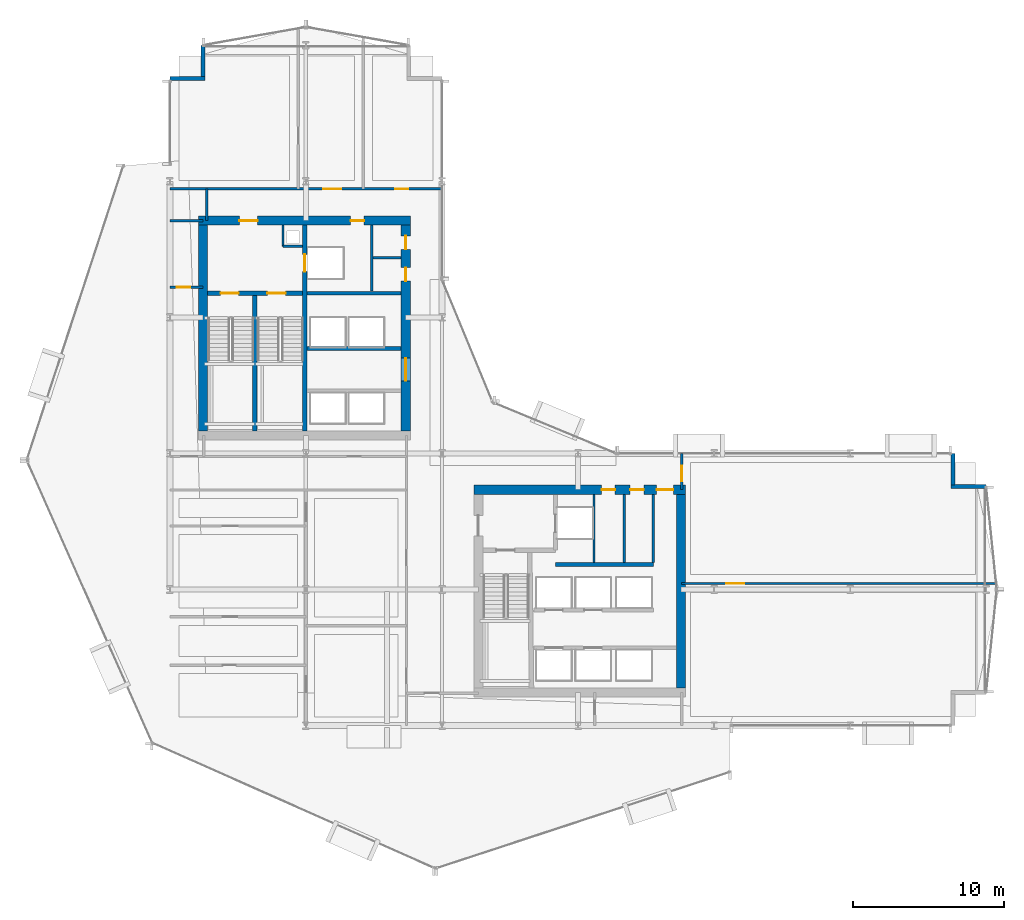
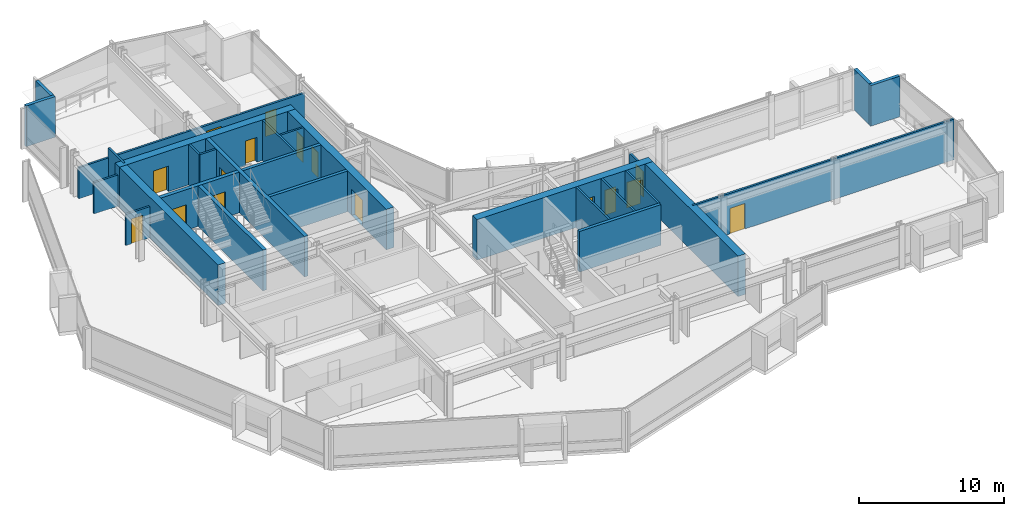
# One storey, part 28 of 34: 28 walls, 16 doors, 16 openings.
"""IFC4 building model written with IfcOpenShell, lengths in metres."""

from ifc_helpers import new_model, si_unit, direction, frame, frame_2d, origin, place, context, subcontext, project, spatial, rectangle, extrude, material, layer, layer_set, type_object, element, fill, save


model = new_model("IFC4")

# Units and contexts
model_context = context("Model", 3, precision=1e-05, world=origin(), true_north=direction((0.0, 1.0)))
body_context = subcontext(model_context, "Body", "Model", "MODEL_VIEW")
ifc_project = project(units=[si_unit("LENGTHUNIT", "METRE"), si_unit("AREAUNIT", "SQUARE_METRE"), si_unit("VOLUMEUNIT", "CUBIC_METRE"), si_unit("PLANEANGLEUNIT", "RADIAN"), si_unit("MASSUNIT", "GRAM", prefix="KILO")], contexts=[model_context])

# Site, building, storey
site_placement = place(None, origin())
site = spatial("IfcSite", under=ifc_project, at=site_placement, CompositionType="ELEMENT")
building_placement = place(site_placement, origin())
building = spatial("IfcBuilding", under=site, at=building_placement, Name="Solvaryn Broadcast Tower", CompositionType="ELEMENT")
storey_placement = place(building_placement, frame((0.0, 0.0, 65.60009765625)))
storey = spatial("IfcBuildingStorey", under=building, at=storey_placement, Name="L15", CompositionType="ELEMENT", Elevation=65.60009765625)

# Wall, openings, doors
ifc_material_1 = material(Name="Concrete f'c 70 MPa", Category="concrete")
ifc_layer_1 = layer(ifc_material_1, 0.60009765625)
ifc_layer_set_1 = layer_set([ifc_layer_1], Name="CW-SHEAR-600")
wall_type_1 = type_object("IfcWallType", Name="CW-SHEAR-600", PredefinedType="SHEAR", material=ifc_layer_set_1)
wall_1_placement = place(storey_placement, frame((24.89990234375, 42.39990234375, 0.0), z_axis=(0.0, 0.0, 1.0), x_axis=(-1.0, 0.0, 0.0)))
wall_1 = element("IfcWall", 1, at=wall_1_placement, inside=storey, type_object=wall_type_1, Name="L15 West Core North Shear Wall", PredefinedType="SHEAR", context=body_context, shape_type="SweptSolid", body=[
    extrude(rectangle(XDim=14.0, YDim=0.60009765625, at=frame_2d((7.0, 0.0))), origin(), (0.0, 0.0, 1.0), 3.419921875),
])
opening_1_placement = place(wall_1_placement, frame((10.10009765625, 0.0, 0.0)))
opening_1 = element("IfcOpeningElement", 2, at=opening_1_placement, cuts=wall_1, Name="Opening FD90A", PredefinedType="OPENING", context=body_context, shape_type="SweptSolid", body=[
    extrude(rectangle(XDim=1.199951171875, YDim=2.14990234375, at=frame_2d((0.60009765625, 1.074951171875))), frame((0.0, 0.31005859375, 0.0), z_axis=(0.0, -1.0, 0.0), x_axis=(1.0, 0.0, 0.0)), (0.0, 0.0, 1.0), 0.6201171875),
])
opening_2_placement = place(wall_1_placement, frame((3.050048828125, 0.0, 0.0)))
opening_2 = element("IfcOpeningElement", 3, at=opening_2_placement, cuts=wall_1, Name="Opening FD60C", PredefinedType="OPENING", context=body_context, shape_type="SweptSolid", body=[
    extrude(rectangle(XDim=0.89990234375, YDim=2.10009765625, at=frame_2d((0.449951171875, 1.050048828125))), frame((0.0, 0.31005859375, 0.0), z_axis=(0.0, -1.0, 0.0), x_axis=(1.0, 0.0, 0.0)), (0.0, 0.0, 1.0), 0.6201171875),
])
ifc_material_2 = material(Name="Flush Acoustic Steel and Timber Door Assembly", Category="steel")
door_type_1 = type_object("IfcDoorType", Name="FD60-SERV-900X2100", OperationType="NOTDEFINED", PredefinedType="DOOR", material=ifc_material_2)
door_1_placement = place(opening_2_placement, origin())
door_1 = element("IfcDoor", 4, at=door_1_placement, inside=storey, type_object=door_type_1, Name="L15 West Core Fiber Riser Door", OperationType="SINGLE_SWING_RIGHT", OverallHeight=2.10009765625, OverallWidth=0.89990234375, PredefinedType="DOOR", context=body_context, shape_type="SweptSolid", body=[
    extrude(rectangle(XDim=0.89990234375, YDim=2.10009765625, at=frame_2d((0.449951171875, 1.050048828125))), frame((0.0, 0.02490234375, 0.0), z_axis=(0.0, -1.0, 0.0), x_axis=(1.0, 0.0, 0.0)), (0.0, 0.0, 1.0), 0.050048828125),
])
fill(opening_2, door_1)
ifc_material_3 = material(Name="Flush Acoustic Steel and Timber Door Assembly", Category="steel")
door_type_2 = type_object("IfcDoorType", Name="FD90-STAIR-1200X2150", OperationType="NOTDEFINED", PredefinedType="DOOR", material=ifc_material_3)
door_2_placement = place(opening_1_placement, origin())
door_2 = element("IfcDoor", 5, at=door_2_placement, inside=storey, type_object=door_type_2, Name="L15 West FSAE Lobby Corridor Door", OperationType="SINGLE_SWING_LEFT", OverallHeight=2.14990234375, OverallWidth=1.199951171875, PredefinedType="DOOR", context=body_context, shape_type="SweptSolid", body=[
    extrude(rectangle(XDim=1.199951171875, YDim=2.14990234375, at=frame_2d((0.60009765625, 1.074951171875))), frame((0.0, 0.02490234375, 0.0), z_axis=(0.0, -1.0, 0.0), x_axis=(1.0, 0.0, 0.0)), (0.0, 0.0, 1.0), 0.050048828125),
])
fill(opening_1, door_2)

# Wall
wall_2_placement = place(storey_placement, frame((11.199951171875, 42.10009765625, 0.0), z_axis=(0.0, 0.0, 1.0), x_axis=(0.0, -1.0, 0.0)))
element("IfcWall", 6, at=wall_2_placement, inside=storey, type_object=wall_type_1, Name="L15 West Core West Shear Wall", PredefinedType="SHEAR", context=body_context, shape_type="SweptSolid", body=[
    extrude(rectangle(XDim=13.60009765625, YDim=0.60009765625, at=frame_2d((6.800048828125, 0.0))), origin(), (0.0, 0.0, 1.0), 3.419921875),
])

# Wall, openings, doors
wall_3_placement = place(storey_placement, frame((24.60009765625, 28.5, 0.0), z_axis=(0.0, 0.0, 1.0), x_axis=(0.0, 1.0, 0.0)))
wall_3 = element("IfcWall", 7, at=wall_3_placement, inside=storey, type_object=wall_type_1, Name="L15 West Core East Shear Wall", PredefinedType="SHEAR", context=body_context, shape_type="SweptSolid", body=[
    extrude(rectangle(XDim=13.60009765625, YDim=0.60009765625, at=frame_2d((6.800048828125, 0.0))), origin(), (0.0, 0.0, 1.0), 3.419921875),
])
opening_3_placement = place(wall_3_placement, frame((3.300048828125, 0.0, 0.0)))
opening_3 = element("IfcOpeningElement", 8, at=opening_3_placement, cuts=wall_3, Name="Opening FD60A", PredefinedType="OPENING", context=body_context, shape_type="SweptSolid", body=[
    extrude(rectangle(XDim=1.5, YDim=2.199951171875, at=frame_2d((0.75, 1.10009765625))), frame((0.0, 0.31005859375, 0.0), z_axis=(0.0, -1.0, 0.0), x_axis=(1.0, 0.0, 0.0)), (0.0, 0.0, 1.0), 0.6201171875),
])
opening_4_placement = place(wall_3_placement, frame((9.89990234375, 0.0, 0.0)))
opening_4 = element("IfcOpeningElement", 9, at=opening_4_placement, cuts=wall_3, Name="Opening FD60C", PredefinedType="OPENING", context=body_context, shape_type="SweptSolid", body=[
    extrude(rectangle(XDim=0.89990234375, YDim=2.10009765625, at=frame_2d((0.449951171875, 1.050048828125))), frame((0.0, 0.31005859375, 0.0), z_axis=(0.0, -1.0, 0.0), x_axis=(1.0, 0.0, 0.0)), (0.0, 0.0, 1.0), 0.6201171875),
])
opening_5_placement = place(wall_3_placement, frame((12.0, 0.0, 0.0)))
opening_5 = element("IfcOpeningElement", 10, at=opening_5_placement, cuts=wall_3, Name="Opening FD60C", PredefinedType="OPENING", context=body_context, shape_type="SweptSolid", body=[
    extrude(rectangle(XDim=0.89990234375, YDim=2.10009765625, at=frame_2d((0.449951171875, 1.050048828125))), frame((0.0, 0.31005859375, 0.0), z_axis=(0.0, -1.0, 0.0), x_axis=(1.0, 0.0, 0.0)), (0.0, 0.0, 1.0), 0.6201171875),
])
ifc_material_4 = material(Name="Flush Acoustic Steel and Timber Door Assembly", Category="steel")
door_type_3 = type_object("IfcDoorType", Name="FD60-CORR-1500X2200", OperationType="NOTDEFINED", PredefinedType="DOOR", material=ifc_material_4)
door_3_placement = place(opening_3_placement, origin())
door_3 = element("IfcDoor", 11, at=door_3_placement, inside=storey, type_object=door_type_3, Name="L15 West Elevator Lobby Corridor Door", OperationType="DOUBLE_DOOR_SINGLE_SWING", OverallHeight=2.199951171875, OverallWidth=1.5, PredefinedType="DOOR", context=body_context, shape_type="SweptSolid", body=[
    extrude(rectangle(XDim=1.5, YDim=2.199951171875, at=frame_2d((0.75, 1.10009765625))), frame((0.0, 0.02490234375, 0.0), z_axis=(0.0, -1.0, 0.0), x_axis=(1.0, 0.0, 0.0)), (0.0, 0.0, 1.0), 0.050048828125),
])
fill(opening_3, door_3)
door_4_placement = place(opening_4_placement, origin())
door_4 = element("IfcDoor", 12, at=door_4_placement, inside=storey, type_object=door_type_1, Name="L15 West Core Service Door 1", OperationType="SINGLE_SWING_LEFT", OverallHeight=2.10009765625, OverallWidth=0.89990234375, PredefinedType="DOOR", context=body_context, shape_type="SweptSolid", body=[
    extrude(rectangle(XDim=0.89990234375, YDim=2.10009765625, at=frame_2d((0.449951171875, 1.050048828125))), frame((0.0, 0.02490234375, 0.0), z_axis=(0.0, -1.0, 0.0), x_axis=(1.0, 0.0, 0.0)), (0.0, 0.0, 1.0), 0.050048828125),
])
fill(opening_4, door_4)
door_5_placement = place(opening_5_placement, origin())
door_5 = element("IfcDoor", 13, at=door_5_placement, inside=storey, type_object=door_type_1, Name="L15 West Core Janitor Door", OperationType="SINGLE_SWING_RIGHT", OverallHeight=2.10009765625, OverallWidth=0.89990234375, PredefinedType="DOOR", context=body_context, shape_type="SweptSolid", body=[
    extrude(rectangle(XDim=0.89990234375, YDim=2.10009765625, at=frame_2d((0.449951171875, 1.050048828125))), frame((0.0, 0.02490234375, 0.0), z_axis=(0.0, -1.0, 0.0), x_axis=(1.0, 0.0, 0.0)), (0.0, 0.0, 1.0), 0.050048828125),
])
fill(opening_5, door_5)

wall_4_placement = place(storey_placement, frame((43.10009765625, 24.60009765625, 0.0), z_axis=(0.0, 0.0, 1.0), x_axis=(-1.0, 0.0, 0.0)))
wall_4 = element("IfcWall", 14, at=wall_4_placement, inside=storey, type_object=wall_type_1, Name="L15 East Core North Shear Wall", PredefinedType="SHEAR", context=body_context, shape_type="SweptSolid", body=[
    extrude(rectangle(XDim=14.0, YDim=0.60009765625, at=frame_2d((7.0, 0.0))), origin(), (0.0, 0.0, 1.0), 3.419921875),
])
opening_6_placement = place(wall_4_placement, frame((0.800048828125, 0.0, 0.0)))
opening_6 = element("IfcOpeningElement", 15, at=opening_6_placement, cuts=wall_4, Name="Opening FD90C", PredefinedType="OPENING", context=body_context, shape_type="SweptSolid", body=[
    extrude(rectangle(XDim=1.10009765625, YDim=2.14990234375, at=frame_2d((0.550048828125, 1.074951171875))), frame((0.0, 0.31005859375, 0.0), z_axis=(0.0, -1.0, 0.0), x_axis=(1.0, 0.0, 0.0)), (0.0, 0.0, 1.0), 0.6201171875),
])
opening_7_placement = place(wall_4_placement, frame((2.75, 0.0, 0.0)))
opening_7 = element("IfcOpeningElement", 16, at=opening_7_placement, cuts=wall_4, Name="Opening FD60C", PredefinedType="OPENING", context=body_context, shape_type="SweptSolid", body=[
    extrude(rectangle(XDim=0.89990234375, YDim=2.10009765625, at=frame_2d((0.449951171875, 1.050048828125))), frame((0.0, 0.31005859375, 0.0), z_axis=(0.0, -1.0, 0.0), x_axis=(1.0, 0.0, 0.0)), (0.0, 0.0, 1.0), 0.6201171875),
])
opening_8_placement = place(wall_4_placement, frame((4.64990234375, 0.0, 0.0)))
opening_8 = element("IfcOpeningElement", 17, at=opening_8_placement, cuts=wall_4, Name="Opening FD60C", PredefinedType="OPENING", context=body_context, shape_type="SweptSolid", body=[
    extrude(rectangle(XDim=0.89990234375, YDim=2.10009765625, at=frame_2d((0.449951171875, 1.050048828125))), frame((0.0, 0.31005859375, 0.0), z_axis=(0.0, -1.0, 0.0), x_axis=(1.0, 0.0, 0.0)), (0.0, 0.0, 1.0), 0.6201171875),
])
door_6_placement = place(opening_7_placement, origin())
door_6 = element("IfcDoor", 18, at=door_6_placement, inside=storey, type_object=door_type_1, Name="L15 Staff Restroom Door", OperationType="SINGLE_SWING_LEFT", OverallHeight=2.10009765625, OverallWidth=0.89990234375, PredefinedType="DOOR", context=body_context, shape_type="SweptSolid", body=[
    extrude(rectangle(XDim=0.89990234375, YDim=2.10009765625, at=frame_2d((0.449951171875, 1.050048828125))), frame((0.0, 0.02490234375, 0.0), z_axis=(0.0, -1.0, 0.0), x_axis=(1.0, 0.0, 0.0)), (0.0, 0.0, 1.0), 0.050048828125),
])
fill(opening_7, door_6)
door_7_placement = place(opening_8_placement, origin())
door_7 = element("IfcDoor", 19, at=door_7_placement, inside=storey, type_object=door_type_1, Name="L15 Accessible WC Door", OperationType="SINGLE_SWING_RIGHT", OverallHeight=2.10009765625, OverallWidth=0.89990234375, PredefinedType="DOOR", context=body_context, shape_type="SweptSolid", body=[
    extrude(rectangle(XDim=0.89990234375, YDim=2.10009765625, at=frame_2d((0.449951171875, 1.050048828125))), frame((0.0, 0.02490234375, 0.0), z_axis=(0.0, -1.0, 0.0), x_axis=(1.0, 0.0, 0.0)), (0.0, 0.0, 1.0), 0.050048828125),
])
fill(opening_8, door_7)
ifc_material_5 = material(Name="Flush Acoustic Steel and Timber Door Assembly", Category="steel")
door_type_4 = type_object("IfcDoorType", Name="FD90-PLANT-1100X2150", OperationType="NOTDEFINED", PredefinedType="DOOR", material=ifc_material_5)
door_8_placement = place(opening_6_placement, origin())
door_8 = element("IfcDoor", 20, at=door_8_placement, inside=storey, type_object=door_type_4, Name="L15 East Core Lobby Corridor Door", OperationType="SINGLE_SWING_LEFT", OverallHeight=2.14990234375, OverallWidth=1.10009765625, PredefinedType="DOOR", context=body_context, shape_type="SweptSolid", body=[
    extrude(rectangle(XDim=1.10009765625, YDim=2.14990234375, at=frame_2d((0.550048828125, 1.074951171875))), frame((0.0, 0.02490234375, 0.0), z_axis=(0.0, -1.0, 0.0), x_axis=(1.0, 0.0, 0.0)), (0.0, 0.0, 1.0), 0.050048828125),
])
fill(opening_6, door_8)

# Walls
wall_5_placement = place(storey_placement, frame((42.800048828125, 11.5, 0.0), z_axis=(0.0, 0.0, 1.0), x_axis=(0.0, 1.0, 0.0)))
element("IfcWall", 21, at=wall_5_placement, inside=storey, type_object=wall_type_1, Name="L15 East Core East Shear Wall", PredefinedType="SHEAR", context=body_context, shape_type="SweptSolid", body=[
    extrude(rectangle(XDim=12.800048828125, YDim=0.60009765625, at=frame_2d((6.39990234375, 0.0))), origin(), (0.0, 0.0, 1.0), 3.419921875),
])
ifc_material_6 = material(Name="Concrete f'c 50 MPa", Category="concrete")
ifc_layer_2 = layer(ifc_material_6, 0.260009765625)
ifc_layer_set_2 = layer_set([ifc_layer_2], Name="EW-PIER-260")
wall_type_2 = type_object("IfcWallType", Name="EW-PIER-260", PredefinedType="SOLIDWALL", material=ifc_layer_set_2)
wall_6_placement = place(storey_placement, frame((9.0, 51.800048828125, 0.0), z_axis=(0.0, 0.0, 1.0), x_axis=(1.0, 0.0, 0.0)))
element("IfcWall", 22, at=wall_6_placement, inside=storey, type_object=wall_type_2, Name="L15 Notched Corner Pier Wall NNW1", PredefinedType="SOLIDWALL", context=body_context, shape_type="SweptSolid", body=[
    extrude(rectangle(XDim=2.320068359375, YDim=0.260009765625, at=frame_2d((1.16015625, 0.0))), origin(), (0.0, 0.0, 1.0), 3.419921875),
])
wall_7_placement = place(storey_placement, frame((11.199951171875, 51.919921875, 0.0), z_axis=(0.0, 0.0, 1.0), x_axis=(0.0, 1.0, 0.0)))
element("IfcWall", 23, at=wall_7_placement, inside=storey, type_object=wall_type_2, Name="L15 Notched Corner Pier Wall NNW2", PredefinedType="SOLIDWALL", context=body_context, shape_type="SweptSolid", body=[
    extrude(rectangle(XDim=2.080078125, YDim=0.260009765625, at=frame_2d((1.0400390625, 0.0))), origin(), (0.0, 0.0, 1.0), 3.419921875),
])
wall_8_placement = place(storey_placement, frame((63.0, 24.800048828125, 0.0), z_axis=(0.0, 0.0, 1.0), x_axis=(-1.0, 0.0, 0.0)))
element("IfcWall", 24, at=wall_8_placement, inside=storey, type_object=wall_type_2, Name="L15 Notched Corner Pier Wall NEE1", PredefinedType="SOLIDWALL", context=body_context, shape_type="SweptSolid", body=[
    extrude(rectangle(XDim=2.320068359375, YDim=0.260009765625, at=frame_2d((1.16015625, 0.0))), origin(), (0.0, 0.0, 1.0), 3.419921875),
])
wall_9_placement = place(storey_placement, frame((60.800048828125, 24.919921875, 0.0), z_axis=(0.0, 0.0, 1.0), x_axis=(0.0, 1.0, 0.0)))
element("IfcWall", 25, at=wall_9_placement, inside=storey, type_object=wall_type_2, Name="L15 Notched Corner Pier Wall NEE2", PredefinedType="SOLIDWALL", context=body_context, shape_type="SweptSolid", body=[
    extrude(rectangle(XDim=2.080078125, YDim=0.260009765625, at=frame_2d((1.0400390625, 0.0))), origin(), (0.0, 0.0, 1.0), 3.419921875),
])
ifc_material_7 = material(Name="Metal-Stud Service Core Partition")
ifc_layer_3 = layer(ifc_material_7, 0.14990234375)
ifc_layer_set_3 = layer_set([ifc_layer_3], Name="IW-PART-150")
wall_type_3 = type_object("IfcWallType", Name="IW-PART-150", PredefinedType="PARTITIONING", material=ifc_layer_set_3)
wall_10_placement = place(storey_placement, frame((16.47998046875, 40.699951171875, 0.0), z_axis=(0.0, 0.0, 1.0), x_axis=(1.0, 0.0, 0.0)))
element("IfcWall", 26, at=wall_10_placement, inside=storey, type_object=wall_type_3, Name="L15 West Core Riser Shaft South Wall", PredefinedType="PARTITIONING", context=body_context, shape_type="SweptSolid", body=[
    extrude(rectangle(XDim=1.2900390625, YDim=0.14990234375, at=frame_2d((0.64501953125, 0.0))), origin(), (0.0, 0.0, 1.0), 3.419921875),
])
wall_11_placement = place(storey_placement, frame((16.47998046875, 40.699951171875, 0.0), z_axis=(0.0, 0.0, 1.0), x_axis=(0.0, 1.0, 0.0)))
element("IfcWall", 27, at=wall_11_placement, inside=storey, type_object=wall_type_3, Name="L15 West Core Riser Shaft West Wall", PredefinedType="PARTITIONING", context=body_context, shape_type="SweptSolid", body=[
    extrude(rectangle(XDim=1.400146484375, YDim=0.14990234375, at=frame_2d((0.7001953125, 0.0))), origin(), (0.0, 0.0, 1.0), 3.419921875),
])
wall_12_placement = place(storey_placement, frame((22.35009765625, 37.72998046875, 0.0), z_axis=(0.0, 0.0, 1.0), x_axis=(0.0, 1.0, 0.0)))
element("IfcWall", 28, at=wall_12_placement, inside=storey, type_object=wall_type_3, Name="L15 Interior Partition IW-L15-CWS-V", PredefinedType="PARTITIONING", context=body_context, shape_type="SweptSolid", body=[
    extrude(rectangle(XDim=4.3701171875, YDim=0.14990234375, at=frame_2d((2.18505859375, 0.0))), origin(), (0.0, 0.0, 1.0), 3.419921875),
])
wall_13_placement = place(storey_placement, frame((22.429931640625, 39.949951171875, 0.0), z_axis=(0.0, 0.0, 1.0), x_axis=(1.0, 0.0, 0.0)))
element("IfcWall", 29, at=wall_13_placement, inside=storey, type_object=wall_type_3, Name="L15 Interior Partition IW-L15-CWS-H", PredefinedType="PARTITIONING", context=body_context, shape_type="SweptSolid", body=[
    extrude(rectangle(XDim=1.8701171875, YDim=0.14990234375, at=frame_2d((0.93505859375, 0.0))), origin(), (0.0, 0.0, 1.0), 3.419921875),
])
for number, where, z_axis, x_axis, name in (
    (30, (37.050048828125, 19.780029296875, 0.0), (0.0, 0.0, 1.0), (0.0, 1.0, 0.0), "L15 Interior Partition IW-L15-CE-FL2E"),
    (31, (39.050048828125, 19.780029296875, 0.0), (0.0, 0.0, 1.0), (0.0, 1.0, 0.0), "L15 Interior Partition IW-L15-CE-V1"),
    (32, (40.97998046875, 19.780029296875, 0.0), (0.0, 0.0, 1.0), (0.0, 1.0, 0.0), "L15 Interior Partition IW-L15-CE-V3"),
):
    element("IfcWall", number, at=place(storey_placement, frame(where, z_axis=z_axis, x_axis=x_axis)), inside=storey, type_object=wall_type_3, Name=name, PredefinedType="PARTITIONING", context=body_context, shape_type="SweptSolid", body=[
        extrude(rectangle(XDim=4.52001953125, YDim=0.14990234375, at=frame_2d((2.260009765625, 0.0))), origin(), (0.0, 0.0, 1.0), 3.419921875),
    ])

# Wall, opening, door
wall_14_placement = place(storey_placement, frame((9.0, 38.0, 0.0), z_axis=(0.0, 0.0, 1.0), x_axis=(1.0, 0.0, 0.0)))
wall_14 = element("IfcWall", 33, at=wall_14_placement, inside=storey, type_object=wall_type_3, Name="L15 Interior Partition IW-L15-WM-M", PredefinedType="PARTITIONING", context=body_context, shape_type="SweptSolid", body=[
    extrude(rectangle(XDim=2.199951171875, YDim=0.14990234375, at=frame_2d((1.10009765625, 0.0))), origin(), (0.0, 0.0, 1.0), 2.626953125),
])
opening_9_placement = place(wall_14_placement, frame((0.449951171875, 0.0, 0.0)))
opening_9 = element("IfcOpeningElement", 34, at=opening_9_placement, cuts=wall_14, Name="Opening FD60C", PredefinedType="OPENING", context=body_context, shape_type="SweptSolid", body=[
    extrude(rectangle(XDim=0.89990234375, YDim=2.10009765625, at=frame_2d((0.449951171875, 1.050048828125))), frame((0.0, 0.0849609375, 0.0), z_axis=(0.0, -1.0, 0.0), x_axis=(1.0, 0.0, 0.0)), (0.0, 0.0, 1.0), 0.169921875),
])
door_9_placement = place(opening_9_placement, origin())
door_9 = element("IfcDoor", 35, at=door_9_placement, inside=storey, type_object=door_type_1, Name="L15 Door DR-L15-WM1", OperationType="SINGLE_SWING_RIGHT", OverallHeight=2.10009765625, OverallWidth=0.89990234375, PredefinedType="DOOR", context=body_context, shape_type="SweptSolid", body=[
    extrude(rectangle(XDim=0.89990234375, YDim=2.10009765625, at=frame_2d((0.449951171875, 1.050048828125))), frame((0.0, 0.02490234375, 0.0), z_axis=(0.0, -1.0, 0.0), x_axis=(1.0, 0.0, 0.0)), (0.0, 0.0, 1.0), 0.050048828125),
])
fill(opening_9, door_9)

# Walls
ifc_material_8 = material(Name="Metal-Stud Gypsum Office Partition")
ifc_layer_4 = layer(ifc_material_8, 0.159912109375)
ifc_layer_set_4 = layer_set([ifc_layer_4], Name="IW-PART-160")
wall_type_4 = type_object("IfcWallType", Name="IW-PART-160", PredefinedType="PARTITIONING", material=ifc_layer_set_4)
wall_15_placement = place(storey_placement, frame((9.0, 42.39990234375, 0.0), z_axis=(0.0, 0.0, 1.0), x_axis=(1.0, 0.0, 0.0)))
element("IfcWall", 36, at=wall_15_placement, inside=storey, type_object=wall_type_4, Name="L15 Interior Partition IW-L15-WM-N", PredefinedType="PARTITIONING", context=body_context, shape_type="SweptSolid", body=[
    extrude(rectangle(XDim=2.199951171875, YDim=0.159912109375, at=frame_2d((1.10009765625, 0.0))), origin(), (0.0, 0.0, 1.0), 2.626953125),
])
wall_16_placement = place(storey_placement, frame((11.449951171875, 42.39990234375, 0.0), z_axis=(0.0, 0.0, 1.0), x_axis=(0.0, 1.0, 0.0)))
element("IfcWall", 37, at=wall_16_placement, inside=storey, type_object=wall_type_4, Name="L15 Interior Partition IW-L15-WM-E", PredefinedType="PARTITIONING", context=body_context, shape_type="SweptSolid", body=[
    extrude(rectangle(XDim=2.10009765625, YDim=0.159912109375, at=frame_2d((1.050048828125, 0.0))), origin(), (0.0, 0.0, 1.0), 3.419921875),
])

# Wall, openings, doors
wall_17_placement = place(storey_placement, frame((9.0, 44.5, 0.0), z_axis=(0.0, 0.0, 1.0), x_axis=(1.0, 0.0, 0.0)))
wall_17 = element("IfcWall", 38, at=wall_17_placement, inside=storey, type_object=wall_type_4, Name="L15 Interior Partition IW-L15-NW-SB", PredefinedType="PARTITIONING", context=body_context, shape_type="SweptSolid", body=[
    extrude(rectangle(XDim=18.0, YDim=0.159912109375, at=frame_2d((9.0, 0.0))), origin(), (0.0, 0.0, 1.0), 2.626953125),
])
opening_10_placement = place(wall_17_placement, frame((10.14990234375, 0.0, 0.0)))
opening_10 = element("IfcOpeningElement", 39, at=opening_10_placement, cuts=wall_17, Name="Opening ID04", PredefinedType="OPENING", context=body_context, shape_type="SweptSolid", body=[
    extrude(rectangle(XDim=1.199951171875, YDim=2.14990234375, at=frame_2d((0.60009765625, 1.074951171875))), frame((0.0, 0.090087890625, 0.0), z_axis=(0.0, -1.0, 0.0), x_axis=(1.0, 0.0, 0.0)), (0.0, 0.0, 1.0), 0.179931640625),
])
opening_11_placement = place(wall_17_placement, frame((14.89990234375, 0.0, 0.0)))
opening_11 = element("IfcOpeningElement", 40, at=opening_11_placement, cuts=wall_17, Name="Opening ID07", PredefinedType="OPENING", context=body_context, shape_type="SweptSolid", body=[
    extrude(rectangle(XDim=0.860107421875, YDim=2.050048828125, at=frame_2d((0.43017578125, 1.02490234375))), frame((0.0, 0.090087890625, 0.0), z_axis=(0.0, -1.0, 0.0), x_axis=(1.0, 0.0, 0.0)), (0.0, 0.0, 1.0), 0.179931640625),
])
ifc_material_9 = material(Name="Flush Acoustic Steel and Timber Door Assembly", Category="steel")
door_type_5 = type_object("IfcDoorType", Name="ID-04-1200X2150", OperationType="NOTDEFINED", PredefinedType="DOOR", material=ifc_material_9)
door_10_placement = place(opening_10_placement, origin())
door_10 = element("IfcDoor", 41, at=door_10_placement, inside=storey, type_object=door_type_5, Name="L15 Door DR-L15-NW-2", OperationType="SINGLE_SWING_RIGHT", OverallHeight=2.14990234375, OverallWidth=1.199951171875, PredefinedType="DOOR", context=body_context, shape_type="SweptSolid", body=[
    extrude(rectangle(XDim=1.199951171875, YDim=2.14990234375, at=frame_2d((0.60009765625, 1.074951171875))), frame((0.0, 0.02490234375, 0.0), z_axis=(0.0, -1.0, 0.0), x_axis=(1.0, 0.0, 0.0)), (0.0, 0.0, 1.0), 0.050048828125),
])
fill(opening_10, door_10)
ifc_material_10 = material(Name="Flush Acoustic Steel and Timber Door Assembly", Category="steel")
door_type_6 = type_object("IfcDoorType", Name="ID-07-860X2050", OperationType="NOTDEFINED", PredefinedType="DOOR", material=ifc_material_10)
door_11_placement = place(opening_11_placement, origin())
door_11 = element("IfcDoor", 42, at=door_11_placement, inside=storey, type_object=door_type_6, Name="L15 Door DR-L15-NW-3", OperationType="SINGLE_SWING_LEFT", OverallHeight=2.050048828125, OverallWidth=0.860107421875, PredefinedType="DOOR", context=body_context, shape_type="SweptSolid", body=[
    extrude(rectangle(XDim=0.860107421875, YDim=2.050048828125, at=frame_2d((0.43017578125, 1.02490234375))), frame((0.0, 0.02490234375, 0.0), z_axis=(0.0, -1.0, 0.0), x_axis=(1.0, 0.0, 0.0)), (0.0, 0.0, 1.0), 0.050048828125),
])
fill(opening_11, door_11)

# Wall, opening, door
wall_18_placement = place(storey_placement, frame((42.85009765625, 24.60009765625, 0.0), z_axis=(0.0, 0.0, 1.0), x_axis=(0.0, 1.0, 0.0)))
wall_18 = element("IfcWall", 43, at=wall_18_placement, inside=storey, type_object=wall_type_4, Name="L15 Interior Partition IW-L15-EW-BN", PredefinedType="PARTITIONING", context=body_context, shape_type="SweptSolid", body=[
    extrude(rectangle(XDim=2.39990234375, YDim=0.159912109375, at=frame_2d((1.199951171875, 0.0))), origin(), (0.0, 0.0, 1.0), 2.626953125),
])
opening_12_placement = place(wall_18_placement, frame((0.550048828125, 0.0, 0.0)))
opening_12 = element("IfcOpeningElement", 44, at=opening_12_placement, cuts=wall_18, Name="Opening ID03", PredefinedType="OPENING", context=body_context, shape_type="SweptSolid", body=[
    extrude(rectangle(XDim=1.050048828125, YDim=2.14990234375, at=frame_2d((0.52490234375, 1.074951171875))), frame((0.0, 0.090087890625, 0.0), z_axis=(0.0, -1.0, 0.0), x_axis=(1.0, 0.0, 0.0)), (0.0, 0.0, 1.0), 0.179931640625),
])
ifc_material_11 = material(Name="Flush Acoustic Steel and Timber Door Assembly", Category="steel")
door_type_7 = type_object("IfcDoorType", Name="ID-03-1050X2150", OperationType="NOTDEFINED", PredefinedType="DOOR", material=ifc_material_11)
door_12_placement = place(opening_12_placement, origin())
door_12 = element("IfcDoor", 45, at=door_12_placement, inside=storey, type_object=door_type_7, Name="L15 Door DR-L15-EW0", OperationType="SINGLE_SWING_RIGHT", OverallHeight=2.14990234375, OverallWidth=1.050048828125, PredefinedType="DOOR", context=body_context, shape_type="SweptSolid", body=[
    extrude(rectangle(XDim=1.050048828125, YDim=2.14990234375, at=frame_2d((0.52490234375, 1.074951171875))), frame((0.0, 0.02490234375, 0.0), z_axis=(0.0, -1.0, 0.0), x_axis=(1.0, 0.0, 0.0)), (0.0, 0.0, 1.0), 0.050048828125),
])
fill(opening_12, door_12)

wall_19_placement = place(storey_placement, frame((42.85009765625, 18.39990234375, 0.0), z_axis=(0.0, 0.0, 1.0), x_axis=(1.0, 0.0, 0.0)))
wall_19 = element("IfcWall", 46, at=wall_19_placement, inside=storey, type_object=wall_type_4, Name="L15 Interior Partition IW-L15-EW-H1", PredefinedType="PARTITIONING", context=body_context, shape_type="SweptSolid", body=[
    extrude(rectangle(XDim=20.808837890625, YDim=0.159912109375, at=frame_2d((10.404296875, 0.0))), origin(), (0.0, 0.0, 1.0), 3.419921875),
])
opening_13_placement = place(wall_19_placement, frame((2.949951171875, 0.0, 0.0)))
opening_13 = element("IfcOpeningElement", 47, at=opening_13_placement, cuts=wall_19, Name="Opening ID04", PredefinedType="OPENING", context=body_context, shape_type="SweptSolid", body=[
    extrude(rectangle(XDim=1.199951171875, YDim=2.14990234375, at=frame_2d((0.60009765625, 1.074951171875))), frame((0.0, 0.090087890625, 0.0), z_axis=(0.0, -1.0, 0.0), x_axis=(1.0, 0.0, 0.0)), (0.0, 0.0, 1.0), 0.179931640625),
])
door_13_placement = place(opening_13_placement, origin())
door_13 = element("IfcDoor", 48, at=door_13_placement, inside=storey, type_object=door_type_5, Name="L15 Door DR-L15-EW-1", OperationType="SINGLE_SWING_LEFT", OverallHeight=2.14990234375, OverallWidth=1.199951171875, PredefinedType="DOOR", context=body_context, shape_type="SweptSolid", body=[
    extrude(rectangle(XDim=1.199951171875, YDim=2.14990234375, at=frame_2d((0.60009765625, 1.074951171875))), frame((0.0, 0.02490234375, 0.0), z_axis=(0.0, -1.0, 0.0), x_axis=(1.0, 0.0, 0.0)), (0.0, 0.0, 1.0), 0.050048828125),
])
fill(opening_13, door_13)

# Walls
ifc_material_12 = material(Name="Concrete f'c 60 MPa", Category="concrete")
ifc_layer_5 = layer(ifc_material_12, 0.25)
ifc_layer_set_5 = layer_set([ifc_layer_5], Name="SW-SHAFT-250")
wall_type_5 = type_object("IfcWallType", Name="SW-SHAFT-250", PredefinedType="PARTITIONING", material=ifc_layer_set_5)
for number, where, z_axis, x_axis, name in (
    (49, (18.070068359375, 37.60009765625, 0.0), (0.0, 0.0, 1.0), (1.0, 0.0, 0.0), "L15 West Core FSAE Hoistway Front Wall"),
    (50, (24.300048828125, 33.949951171875, 0.0), (0.0, 0.0, 1.0), (-1.0, 0.0, 0.0), "L15 High-Rise Lift Bank North Wall"),
):
    element("IfcWall", number, at=place(storey_placement, frame(where, z_axis=z_axis, x_axis=x_axis)), inside=storey, type_object=wall_type_5, Name=name, PredefinedType="PARTITIONING", context=body_context, shape_type="SweptSolid", body=[
        extrude(rectangle(XDim=6.22998046875, YDim=0.25, at=frame_2d((3.114990234375, 0.0))), origin(), (0.0, 0.0, 1.0), 3.419921875),
    ])
wall_20_placement = place(storey_placement, frame((34.5, 19.64990234375, 0.0), z_axis=(0.0, 0.0, 1.0), x_axis=(1.0, 0.0, 0.0)))
element("IfcWall", 51, at=wall_20_placement, inside=storey, type_object=wall_type_5, Name="L15 East Core Restroom South Wall", PredefinedType="PARTITIONING", context=body_context, shape_type="SweptSolid", body=[
    extrude(rectangle(XDim=6.47998046875, YDim=0.25, at=frame_2d((3.239990234375, 0.0))), origin(), (0.0, 0.0, 1.0), 3.419921875),
])
ifc_material_13 = material(Name="Concrete f'c 70 MPa", Category="concrete")
ifc_layer_6 = layer(ifc_material_13, 0.300048828125)
ifc_layer_set_6 = layer_set([ifc_layer_6], Name="SW-SHAFT-300")
wall_type_6 = type_object("IfcWallType", Name="SW-SHAFT-300", PredefinedType="SHEAR", material=ifc_layer_set_6)
wall_21_placement = place(storey_placement, frame((14.6201171875, 28.5, 0.0), z_axis=(0.0, 0.0, 1.0), x_axis=(0.0, 1.0, 0.0)))
element("IfcWall", 52, at=wall_21_placement, inside=storey, type_object=wall_type_6, Name="L15 Stair 1-2 Dividing Wall", PredefinedType="SHEAR", context=body_context, shape_type="SweptSolid", body=[
    extrude(rectangle(XDim=8.949951171875, YDim=0.300048828125, at=frame_2d((4.47509765625, 0.0))), origin(), (0.0, 0.0, 1.0), 3.419921875),
])

# Wall, opening, door
wall_22_placement = place(storey_placement, frame((17.919921875, 42.10009765625, 0.0), z_axis=(0.0, 0.0, 1.0), x_axis=(0.0, -1.0, 0.0)))
wall_22 = element("IfcWall", 53, at=wall_22_placement, inside=storey, type_object=wall_type_6, Name="L15 West Core Stair-Lobby Shear Wall", PredefinedType="SHEAR", context=body_context, shape_type="SweptSolid", body=[
    extrude(rectangle(XDim=13.60009765625, YDim=0.300048828125, at=frame_2d((6.800048828125, 0.0))), origin(), (0.0, 0.0, 1.0), 3.419921875),
])
opening_14_placement = place(wall_22_placement, frame((1.925048828125, 0.0, 0.0)))
opening_14 = element("IfcOpeningElement", 54, at=opening_14_placement, cuts=wall_22, Name="Opening LD01", PredefinedType="OPENING", context=body_context, shape_type="SweptSolid", body=[
    extrude(rectangle(XDim=1.14990234375, YDim=2.14990234375, at=frame_2d((0.574951171875, 1.074951171875))), frame((0.0, 0.159912109375, 0.0), z_axis=(0.0, -1.0, 0.0), x_axis=(1.0, 0.0, 0.0)), (0.0, 0.0, 1.0), 0.320068359375),
])
ifc_material_14 = material(Name="Flush Acoustic Steel and Timber Door Assembly", Category="steel")
door_type_8 = type_object("IfcDoorType", Name="LD-LIFT-1150X2150", OperationType="NOTDEFINED", PredefinedType="DOOR", material=ifc_material_14)
door_14_placement = place(opening_14_placement, origin())
door_14 = element("IfcDoor", 55, at=door_14_placement, inside=storey, type_object=door_type_8, Name="L15 FL1 Lift Landing Door", OperationType="DOUBLE_DOOR_SLIDING", OverallHeight=2.14990234375, OverallWidth=1.14990234375, PredefinedType="DOOR", context=body_context, shape_type="SweptSolid", body=[
    extrude(rectangle(XDim=1.14990234375, YDim=2.14990234375, at=frame_2d((0.574951171875, 1.074951171875))), frame((0.0, 0.02490234375, 0.0), z_axis=(0.0, -1.0, 0.0), x_axis=(1.0, 0.0, 0.0)), (0.0, 0.0, 1.0), 0.050048828125),
])
fill(opening_14, door_14)

# Wall, openings, doors
wall_23_placement = place(storey_placement, frame((17.77001953125, 37.60009765625, 0.0), z_axis=(0.0, 0.0, 1.0), x_axis=(-1.0, 0.0, 0.0)))
wall_23 = element("IfcWall", 56, at=wall_23_placement, inside=storey, type_object=wall_type_6, Name="L15 West Core FSAE Lobby South Wall", PredefinedType="SHEAR", context=body_context, shape_type="SweptSolid", body=[
    extrude(rectangle(XDim=6.27001953125, YDim=0.300048828125, at=frame_2d((3.135009765625, 0.0))), origin(), (0.0, 0.0, 1.0), 3.419921875),
])
opening_15_placement = place(wall_23_placement, frame((4.219970703125, 0.0, 0.0)))
opening_15 = element("IfcOpeningElement", 57, at=opening_15_placement, cuts=wall_23, Name="Opening FD90A", PredefinedType="OPENING", context=body_context, shape_type="SweptSolid", body=[
    extrude(rectangle(XDim=1.199951171875, YDim=2.14990234375, at=frame_2d((0.60009765625, 1.074951171875))), frame((0.0, 0.159912109375, 0.0), z_axis=(0.0, -1.0, 0.0), x_axis=(1.0, 0.0, 0.0)), (0.0, 0.0, 1.0), 0.320068359375),
])
opening_16_placement = place(wall_23_placement, frame((1.1201171875, 0.0, 0.0)))
opening_16 = element("IfcOpeningElement", 58, at=opening_16_placement, cuts=wall_23, Name="Opening FD90A", PredefinedType="OPENING", context=body_context, shape_type="SweptSolid", body=[
    extrude(rectangle(XDim=1.199951171875, YDim=2.14990234375, at=frame_2d((0.60009765625, 1.074951171875))), frame((0.0, 0.159912109375, 0.0), z_axis=(0.0, -1.0, 0.0), x_axis=(1.0, 0.0, 0.0)), (0.0, 0.0, 1.0), 0.320068359375),
])
door_15_placement = place(opening_15_placement, origin())
door_15 = element("IfcDoor", 59, at=door_15_placement, inside=storey, type_object=door_type_2, Name="L15 Stair 1 Fire Door", OperationType="SINGLE_SWING_LEFT", OverallHeight=2.14990234375, OverallWidth=1.199951171875, PredefinedType="DOOR", context=body_context, shape_type="SweptSolid", body=[
    extrude(rectangle(XDim=1.199951171875, YDim=2.14990234375, at=frame_2d((0.60009765625, 1.074951171875))), frame((0.0, 0.02490234375, 0.0), z_axis=(0.0, -1.0, 0.0), x_axis=(1.0, 0.0, 0.0)), (0.0, 0.0, 1.0), 0.050048828125),
])
fill(opening_15, door_15)
door_16_placement = place(opening_16_placement, origin())
door_16 = element("IfcDoor", 60, at=door_16_placement, inside=storey, type_object=door_type_2, Name="L15 Stair 2 Fire Door", OperationType="SINGLE_SWING_RIGHT", OverallHeight=2.14990234375, OverallWidth=1.199951171875, PredefinedType="DOOR", context=body_context, shape_type="SweptSolid", body=[
    extrude(rectangle(XDim=1.199951171875, YDim=2.14990234375, at=frame_2d((0.60009765625, 1.074951171875))), frame((0.0, 0.02490234375, 0.0), z_axis=(0.0, -1.0, 0.0), x_axis=(1.0, 0.0, 0.0)), (0.0, 0.0, 1.0), 0.050048828125),
])
fill(opening_16, door_16)

save(model, "model.ifc")
